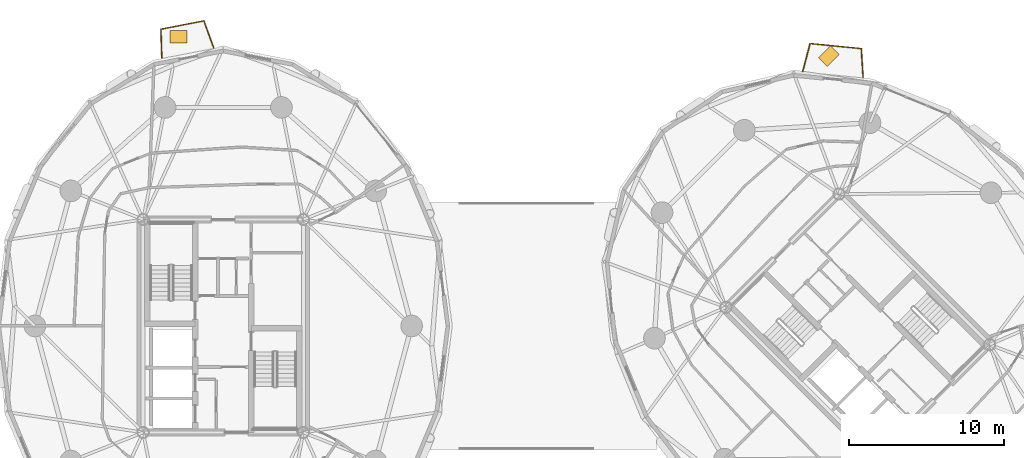
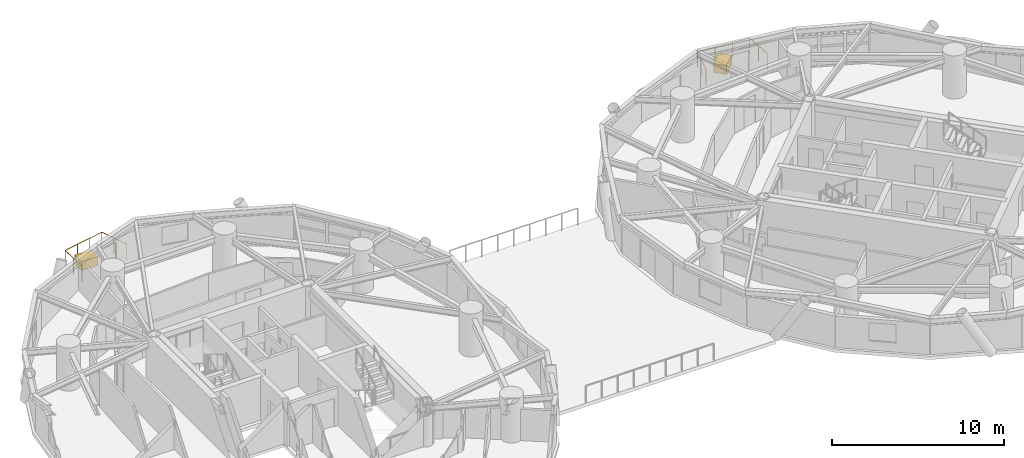
# One storey, part 19 of 19: 2 coverings, 2 railings.
"""IFC4 building model written with IfcOpenShell, lengths in metres."""

from ifc_helpers import new_model, si_unit, direction, frame, origin, origin_2d, place, context, subcontext, project, spatial, rectangle, circle, extrude, source, transform, mapped, material, layer, layer_set, type_object, element, save


model = new_model("IFC4")

# Units and contexts
model_context = context("Model", 3, precision=1e-05, world=origin(), true_north=direction((0.0, 1.0)))
body_context = subcontext(model_context, "Body", "Model", "MODEL_VIEW")
ifc_project = project(units=[si_unit("LENGTHUNIT", "METRE"), si_unit("AREAUNIT", "SQUARE_METRE"), si_unit("VOLUMEUNIT", "CUBIC_METRE"), si_unit("PLANEANGLEUNIT", "RADIAN"), si_unit("MASSUNIT", "GRAM", prefix="KILO")], contexts=[model_context])

# Site, building, storey
site_placement = place(None, origin())
site = spatial("IfcSite", under=ifc_project, at=site_placement, CompositionType="ELEMENT")
building_placement = place(site_placement, origin())
building = spatial("IfcBuilding", under=site, at=building_placement, Name="Cununo Teusaquillo Station Towers", CompositionType="ELEMENT")
storey_placement = place(building_placement, frame((0.0, 0.0, 144.0400390625)))
storey = spatial("IfcBuildingStorey", under=building, at=storey_placement, Name="L45", CompositionType="ELEMENT", Elevation=144.0400390625)

# Railings
ifc_material_1 = material(Name="Anodised dark bronze aluminium EN AW-6063-T6", Category="aluminium")
railing_type = type_object("IfcRailingType", Name="RL-EXT-GUARD", PredefinedType="GUARDRAIL", material=ifc_material_1)
railing_1_placement = place(storey_placement, frame((12.529296875, 41.826416015625, 0.0)))
element("IfcRailing", 1, at=railing_1_placement, inside=storey, type_object=railing_type, Name="L45 Tower A Balcony Guardrail C05", PredefinedType="GUARDRAIL", context=body_context, shape_type="SweptSolid", body=[
    extrude(circle(Radius=0.02392578125, at=origin_2d()), frame((0.0, 0.0, 1.1259765625), z_axis=(-0.030492060761, 0.999535009007, 0.0), x_axis=(-0.999535009007, -0.030492060761, 0.0)), (0.0, 0.0, 1.0), 1.857666015625),
    extrude(circle(Radius=0.02392578125, at=origin_2d()), frame((-0.056640625, 1.856689453125, 1.1259765625), z_axis=(0.981837596309, 0.18972331031, 0.0), x_axis=(-0.18972331031, 0.981837596309, 0.0)), (0.0, 0.0, 1.0), 2.822021484375),
    extrude(circle(Radius=0.02392578125, at=origin_2d()), frame((2.714111328125, 2.39208984375, 1.1259765625), z_axis=(0.344127190422, -0.938923040942, 0.0), x_axis=(0.938923040942, 0.344127190422, 0.0)), (0.0, 0.0, 1.0), 1.857421875),
    extrude(circle(Radius=0.02099609375, at=origin_2d()), origin(), (0.0, 0.0, 1.0), 1.101806640625),
    extrude(circle(Radius=0.02099609375, at=origin_2d()), frame((-0.0283203125, 0.92822265625, 0.0)), (0.0, 0.0, 1.0), 1.101806640625),
    extrude(circle(Radius=0.02099609375, at=origin_2d()), frame((-0.056640625, 1.856689453125, 0.0)), (0.0, 0.0, 1.0), 1.101806640625),
    extrude(circle(Radius=0.02099609375, at=origin_2d()), frame((0.866943359375, 2.03515625, 0.0)), (0.0, 0.0, 1.0), 1.101806640625),
    extrude(circle(Radius=0.02099609375, at=origin_2d()), frame((1.79052734375, 2.213623046875, 0.0)), (0.0, 0.0, 1.0), 1.101806640625),
    extrude(circle(Radius=0.02099609375, at=origin_2d()), frame((2.714111328125, 2.39208984375, 0.0)), (0.0, 0.0, 1.0), 1.101806640625),
    extrude(circle(Radius=0.02099609375, at=origin_2d()), frame((3.03369140625, 1.52001953125, 0.0)), (0.0, 0.0, 1.0), 1.101806640625),
    extrude(circle(Radius=0.02099609375, at=origin_2d()), frame((3.353271484375, 0.648193359375, 0.0)), (0.0, 0.0, 1.0), 1.101806640625),
])
railing_2_placement = place(storey_placement, frame((53.94677734375, 40.952392578125, 0.0)))
element("IfcRailing", 2, at=railing_2_placement, inside=storey, type_object=railing_type, Name="L45 Tower B Balcony Guardrail C02", PredefinedType="GUARDRAIL", context=body_context, shape_type="SweptSolid", body=[
    extrude(circle(Radius=0.02392578125, at=origin_2d()), frame((0.0, 0.0, 1.1259765625), z_axis=(0.256025604412, 0.96667000051, 0.0), x_axis=(-0.96667000051, 0.256025604412, 0.0)), (0.0, 0.0, 1.0), 1.8662109375),
    extrude(circle(Radius=0.02392578125, at=origin_2d()), frame((0.477783203125, 1.803955078125, 1.1259765625), z_axis=(0.995128414942, -0.098587208981, 0.0), x_axis=(0.098587208981, 0.995128414942, 0.0)), (0.0, 0.0, 1.0), 3.3232421875),
    extrude(circle(Radius=0.02392578125, at=origin_2d()), frame((3.784912109375, 1.476318359375, 1.1259765625), z_axis=(0.061352095824, -0.998116185791, 0.0), x_axis=(0.998116185791, 0.061352095824, 0.0)), (0.0, 0.0, 1.0), 1.8662109375),
    extrude(circle(Radius=0.02099609375, at=origin_2d()), origin(), (0.0, 0.0, 1.0), 1.101806640625),
    extrude(circle(Radius=0.02099609375, at=origin_2d()), frame((0.23876953125, 0.90185546875, 0.0)), (0.0, 0.0, 1.0), 1.101806640625),
    extrude(circle(Radius=0.02099609375, at=origin_2d()), frame((0.477783203125, 1.803955078125, 0.0)), (0.0, 0.0, 1.0), 1.101806640625),
    extrude(circle(Radius=0.02099609375, at=origin_2d()), frame((1.580078125, 1.69482421875, 0.0)), (0.0, 0.0, 1.0), 1.101806640625),
    extrude(circle(Radius=0.02099609375, at=origin_2d()), frame((2.6826171875, 1.58544921875, 0.0)), (0.0, 0.0, 1.0), 1.101806640625),
    extrude(circle(Radius=0.02099609375, at=origin_2d()), frame((3.784912109375, 1.476318359375, 0.0)), (0.0, 0.0, 1.0), 1.101806640625),
    extrude(circle(Radius=0.02099609375, at=origin_2d()), frame((3.84228515625, 0.544921875, 0.0)), (0.0, 0.0, 1.0), 1.101806640625),
    extrude(circle(Radius=0.02099609375, at=origin_2d()), frame((3.8994140625, -0.386474609375, 0.0)), (0.0, 0.0, 1.0), 1.101806640625),
])

# Coverings
ifc_material_2 = material(Name="Architectural GRC planter shell and engineered root-zone substrate", Category="concrete")
ifc_layer = layer(ifc_material_2, 0.64990234375)
ifc_layer_set = layer_set([ifc_layer], Name="Architectural GRC planter shell and engineered root-zone substrate")
covering_type = type_object("IfcCoveringType", Name="COV-TREE-PLANTER", PredefinedType="CLADDING", material=ifc_layer_set)
shared_shape = source(origin(), body_context, "Body", "SweptSolid", [
    extrude(rectangle(XDim=1.10009765625, YDim=0.800048828125, at=origin_2d()), origin(), (0.0, 0.0, 1.0), 0.64990234375),
])
for number, where, z_axis, x_axis, name in (
    (3, (13.61083984375, 43.2001953125, 0.0), (0.0, 0.0, 1.0), (1.0, 0.0, 0.0), "L45 Tower A Balcony Tree PLANTER C05"),
    (4, (55.62646484375, 41.939208984375, 0.0), (0.0, 0.0, 1.0), (0.707106781187, 0.707106781187, 0.0), "L45 Tower B Balcony Tree PLANTER C02"),
):
    element("IfcCovering", number, at=place(storey_placement, frame(where, z_axis=z_axis, x_axis=x_axis)), inside=storey, type_object=covering_type, Name=name, PredefinedType="CLADDING", context=body_context, shape_type="MappedRepresentation", body=[
        mapped(shared_shape, transform((0.0, 0.0, 0.0), x_axis=(1.0, 0.0, 0.0), y_axis=(0.0, 1.0, 0.0), z_axis=(0.0, 0.0, 1.0), scale=1.0)),
    ])

save(model, "model.ifc")
